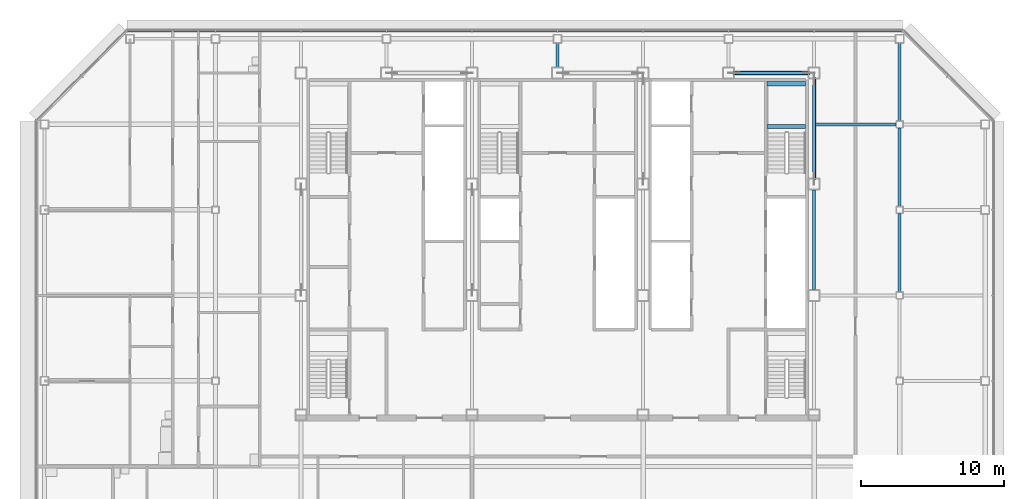
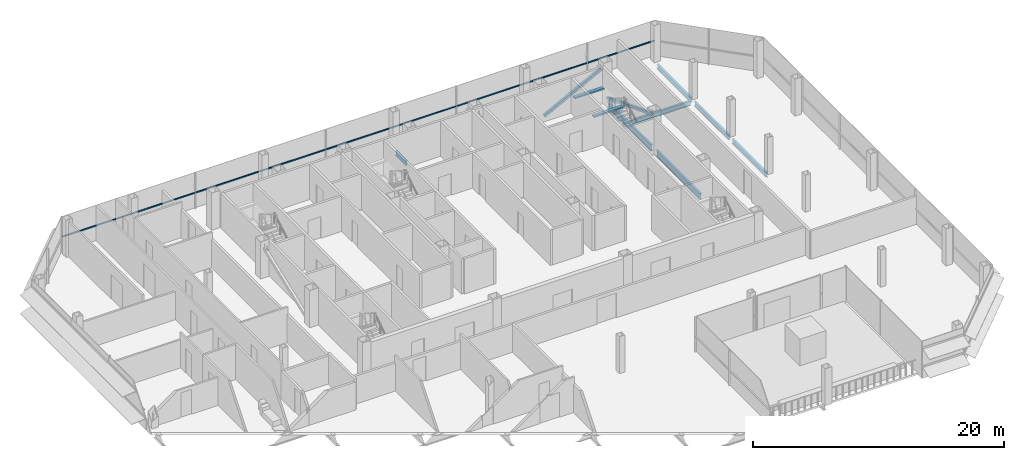
# One storey, part 16 of 30: 9 beams, 3 members, 1 element without a shape of its own.
"""IFC4 building model written with IfcOpenShell, lengths in metres."""

from ifc_helpers import new_model, si_unit, direction, frame, origin, origin_2d, place, context, subcontext, project, spatial, rectangle, hollow_rectangle, i_section, extrude, material, material_profile, profile_set, type_object, element, aggregate, save


model = new_model("IFC4")

# Units and contexts
model_context = context("Model", 3, precision=1e-05, world=origin(), true_north=direction((0.0, 1.0)))
body_context = subcontext(model_context, "Body", "Model", "MODEL_VIEW")
ifc_project = project(units=[si_unit("LENGTHUNIT", "METRE"), si_unit("AREAUNIT", "SQUARE_METRE"), si_unit("VOLUMEUNIT", "CUBIC_METRE"), si_unit("PLANEANGLEUNIT", "RADIAN"), si_unit("MASSUNIT", "GRAM", prefix="KILO")], contexts=[model_context])

# Site, building, storey
site_placement = place(None, origin())
site = spatial("IfcSite", under=ifc_project, at=site_placement, CompositionType="ELEMENT")
building_placement = place(site_placement, origin())
building = spatial("IfcBuilding", under=site, at=building_placement, Name="Sorahane Residences", CompositionType="ELEMENT")
storey_placement = place(building_placement, frame((0.0, 0.0, 263.0)))
storey = spatial("IfcBuildingStorey", under=building, at=storey_placement, Name="L62", CompositionType="ELEMENT", Elevation=263.0)

# Members
ifc_material_1 = material(Name="Steel Q355B", Category="steel")
ifc_material_profile_1 = material_profile(ifc_material_1, hollow_rectangle(XDim=0.25, YDim=0.25, WallThickness=0.013916015625, InnerFilletRadius=0.007080078125, OuterFilletRadius=0.02099609375, at=origin_2d()), Name="RHS 250x250x14")
ifc_profile_set_1 = profile_set([ifc_material_profile_1], Name="Steel Q355B")
member_type_1 = type_object("IfcMemberType", Name="Core brace RHS 250x250x14 Q355B", PredefinedType="BRACE", material=ifc_profile_set_1)
member_1_placement = place(storey_placement, frame((36.365234375, 45.60009765625, 0.10693359375), z_axis=(0.886099769192, 0.0, 0.46349455125), x_axis=(0.0, 1.0, 0.0)))
element("IfcMember", 1, at=member_1_placement, inside=storey, type_object=member_type_1, Name="Core brace L62 y45.6-6", PredefinedType="BRACE", context=body_context, shape_type="SweptSolid", body=[
    extrude(hollow_rectangle(XDim=0.25, YDim=0.25, WallThickness=0.013916015625, InnerFilletRadius=0.007080078125, OuterFilletRadius=0.02099609375, at=origin_2d()), origin(), (0.0, 0.0, 1.0), 5.94677734375),
])
member_2_placement = place(storey_placement, frame((42.0, 45.22705078125, 0.114501953125), z_axis=(0.0, -0.932108763247, 0.362178482902), x_axis=(1.0, 0.0, 0.0)))
element("IfcMember", 2, at=member_2_placement, inside=storey, type_object=member_type_1, Name="Core brace L62 x42-3", PredefinedType="BRACE", context=body_context, shape_type="SweptSolid", body=[
    extrude(hollow_rectangle(XDim=0.25, YDim=0.25, WallThickness=0.013916015625, InnerFilletRadius=0.007080078125, OuterFilletRadius=0.02099609375, at=origin_2d()), origin(), (0.0, 0.0, 1.0), 7.568115234375),
])

# Curtain wall, member
ifc_material_2 = material(Name="Dark low-e glass and black anodised aluminium", Category="aluminium")
curtain_wall_type = type_object("IfcCurtainWallType", Name="Curtain wall CW-1 Typical unitised wall", PredefinedType="NOTDEFINED", material=ifc_material_2)
curtain_wall_placement = place(storey_placement, origin())
curtain_wall = element("IfcCurtainWall", 3, at=curtain_wall_placement, inside=storey, type_object=curtain_wall_type, Name="CW-1 curtain wall L62 N1", PredefinedType="NOTDEFINED")
ifc_material_3 = material(Name="Black anodised aluminium", Category="aluminium")
ifc_material_profile_2 = material_profile(ifc_material_3, rectangle(XDim=0.10009765625, YDim=0.06005859375, at=origin_2d()), Name="Curtain wall transom CW-1 black anodised aluminium 60x100")
ifc_profile_set_2 = profile_set([ifc_material_profile_2], Name="Black anodised aluminium")
member_type_2 = type_object("IfcMemberType", Name="Curtain wall transom CW-1 black anodised aluminium 60x100", PredefinedType="USERDEFINED", material=ifc_profile_set_2)
member_3_placement = place(storey_placement, frame((48.198486328125, 48.530029296875, 1.5), z_axis=(-1.0, 0.0, 0.0), x_axis=(0.0, -1.0, 0.0)))
member_3 = element("IfcMember", 4, at=member_3_placement, type_object=member_type_2, Name="CW-1 transom L62 N1", ObjectType="TRANSOM", PredefinedType="USERDEFINED", context=body_context, shape_type="SweptSolid", body=[
    extrude(rectangle(XDim=0.10009765625, YDim=0.06005859375, at=origin_2d()), origin(), (0.0, 0.0, 1.0), 54.39697265625),
])
aggregate(curtain_wall, [member_3])

# Beams
ifc_material_4 = material(Name="Concrete C40", Category="concrete")
ifc_material_profile_3 = material_profile(ifc_material_4, rectangle(XDim=0.300048828125, YDim=0.139892578125, at=origin_2d()), Name="300x140")
ifc_profile_set_3 = profile_set([ifc_material_profile_3], Name="Concrete C40")
beam_type_1 = type_object("IfcBeamType", Name="RC landing beam 300 x 140 Concrete C40", PredefinedType="BEAM", material=ifc_profile_set_3)
for number, where, z_axis, x_axis, name in (
    (5, (38.699951171875, 41.85009765625, 1.530029296875), (1.0, 0.0, 0.0), (0.0, 1.0, 0.0), "Landing beam"),
    (6, (38.699951171875, 44.85009765625, 1.530029296875), (1.0, 0.0, 0.0), (0.0, 1.0, 0.0), "Landing beam"),
):
    element("IfcBeam", number, at=place(storey_placement, frame(where, z_axis=z_axis, x_axis=x_axis)), inside=storey, type_object=beam_type_1, Name=name, PredefinedType="BEAM", context=body_context, shape_type="SweptSolid", body=[
        extrude(rectangle(XDim=0.300048828125, YDim=0.139892578125, at=origin_2d()), origin(), (0.0, 0.0, 1.0), 2.699951171875),
    ])
ifc_material_5 = material(Name="Steel Q355B", Category="steel")
ifc_material_profile_4 = material_profile(ifc_material_5, i_section(OverallWidth=0.199951171875, OverallDepth=0.449951171875, WebThickness=0.009033203125, FlangeThickness=0.013916015625, FilletRadius=0.02001953125, at=origin_2d()), Name="HN 450x200x9x14")
ifc_profile_set_4 = profile_set([ifc_material_profile_4], Name="Steel Q355B")
beam_type_2 = type_object("IfcBeamType", Name="Steel floor beam HN 450x200x9x14 Q355B", PredefinedType="BEAM", material=ifc_profile_set_4)
beam_1_placement = place(storey_placement, frame((24.0, 46.0, -0.405029296875), z_axis=(0.0, 1.0, 0.0), x_axis=(-1.0, 0.0, 0.0)))
element("IfcBeam", 7, at=beam_1_placement, inside=storey, type_object=beam_type_2, Name="Beam L62 042", PredefinedType="BEAM", context=body_context, shape_type="SweptSolid", body=[
    extrude(i_section(OverallWidth=0.199951171875, OverallDepth=0.449951171875, WebThickness=0.009033203125, FlangeThickness=0.013916015625, FilletRadius=0.02001953125, at=origin_2d()), origin(), (0.0, 0.0, 1.0), 1.699951171875),
])
for number, where, z_axis, x_axis, name in (
    (8, (48.0, 30.25, -0.405029296875), (0.0, 1.0, 0.0), (-1.0, 0.0, 0.0), "Beam L62 058"),
    (9, (48.0, 36.25, -0.405029296875), (0.0, 1.0, 0.0), (-1.0, 0.0, 0.0), "Beam L62 059"),
):
    element("IfcBeam", number, at=place(storey_placement, frame(where, z_axis=z_axis, x_axis=x_axis)), inside=storey, type_object=beam_type_2, Name=name, PredefinedType="BEAM", context=body_context, shape_type="SweptSolid", body=[
        extrude(i_section(OverallWidth=0.199951171875, OverallDepth=0.449951171875, WebThickness=0.009033203125, FlangeThickness=0.013916015625, FilletRadius=0.02001953125, at=origin_2d()), origin(), (0.0, 0.0, 1.0), 5.5),
    ])
beam_2_placement = place(storey_placement, frame((48.0, 42.25, -0.405029296875), z_axis=(0.0, 1.0, 0.0), x_axis=(-1.0, 0.0, 0.0)))
element("IfcBeam", 10, at=beam_2_placement, inside=storey, type_object=beam_type_2, Name="Beam L62 060", PredefinedType="BEAM", context=body_context, shape_type="SweptSolid", body=[
    extrude(i_section(OverallWidth=0.199951171875, OverallDepth=0.449951171875, WebThickness=0.009033203125, FlangeThickness=0.013916015625, FilletRadius=0.02001953125, at=origin_2d()), origin(), (0.0, 0.0, 1.0), 5.449951171875),
])
beam_3_placement = place(storey_placement, frame((42.10009765625, 42.0, -0.405029296875), z_axis=(1.0, 0.0, 0.0), x_axis=(0.0, 1.0, 0.0)))
element("IfcBeam", 11, at=beam_3_placement, inside=storey, type_object=beam_type_2, Name="Beam L62 086", PredefinedType="BEAM", context=body_context, shape_type="SweptSolid", body=[
    extrude(i_section(OverallWidth=0.199951171875, OverallDepth=0.449951171875, WebThickness=0.009033203125, FlangeThickness=0.013916015625, FilletRadius=0.02001953125, at=origin_2d()), origin(), (0.0, 0.0, 1.0), 5.64990234375),
])
ifc_material_6 = material(Name="Steel Q355B", Category="steel")
ifc_material_profile_5 = material_profile(ifc_material_6, i_section(OverallWidth=0.199951171875, OverallDepth=0.60009765625, WebThickness=0.010986328125, FlangeThickness=0.01708984375, FilletRadius=0.02392578125, at=origin_2d()), Name="HN 600x200x11x17")
ifc_profile_set_5 = profile_set([ifc_material_profile_5], Name="Steel Q355B")
beam_type_3 = type_object("IfcBeamType", Name="Steel floor beam HN 600x200x11x17 Q355B", PredefinedType="BEAM", material=ifc_profile_set_5)
for number, where, z_axis, x_axis, name in (
    (12, (42.0, 30.39990234375, -0.47998046875), (0.0, 1.0, 0.0), (-1.0, 0.0, 0.0), "Beam L62 052"),
    (13, (42.0, 38.199951171875, -0.47998046875), (0.0, 1.0, 0.0), (-1.0, 0.0, 0.0), "Beam L62 053"),
):
    element("IfcBeam", number, at=place(storey_placement, frame(where, z_axis=z_axis, x_axis=x_axis)), inside=storey, type_object=beam_type_3, Name=name, PredefinedType="BEAM", context=body_context, shape_type="SweptSolid", body=[
        extrude(i_section(OverallWidth=0.199951171875, OverallDepth=0.60009765625, WebThickness=0.010986328125, FlangeThickness=0.01708984375, FilletRadius=0.02392578125, at=origin_2d()), origin(), (0.0, 0.0, 1.0), 7.0),
    ])

save(model, "model.ifc")
